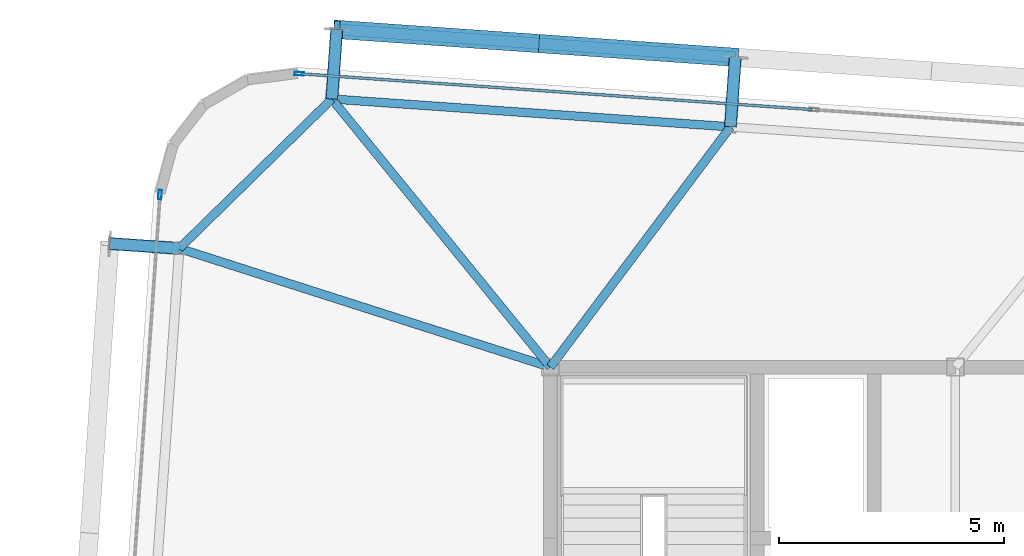
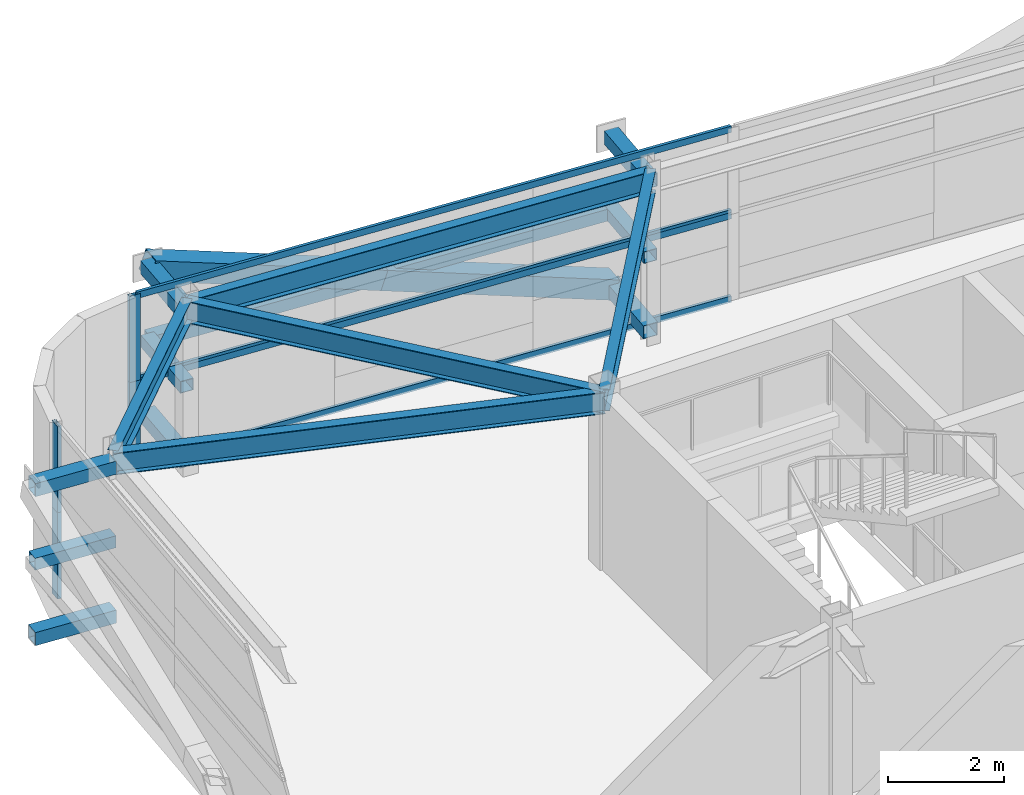
# One storey, part 19 of 36: 20 members, 5 beams, 4 elements without a shape of their own.
"""IFC4 building model written with IfcOpenShell, lengths in metres."""

from ifc_helpers import new_model, si_unit, direction, frame, origin, origin_2d, place, context, subcontext, project, spatial, hollow_rectangle, i_section, extrude, source, transform, mapped, material, layer, layer_set, material_profile, profile_set, type_object, element, aggregate, save


model = new_model("IFC4")

# Units and contexts
model_context = context("Model", 3, precision=1e-05, world=origin(), true_north=direction((0.0, 1.0)))
body_context = subcontext(model_context, "Body", "Model", "MODEL_VIEW")
ifc_project = project(units=[si_unit("LENGTHUNIT", "METRE"), si_unit("AREAUNIT", "SQUARE_METRE"), si_unit("VOLUMEUNIT", "CUBIC_METRE"), si_unit("PLANEANGLEUNIT", "RADIAN"), si_unit("MASSUNIT", "GRAM", prefix="KILO")], contexts=[model_context])

# Site, building, storey
site_placement = place(None, origin())
site = spatial("IfcSite", under=ifc_project, at=site_placement, CompositionType="ELEMENT")
building_placement = place(site_placement, origin())
building = spatial("IfcBuilding", under=site, at=building_placement, Name="Taldren Reach Tower", CompositionType="ELEMENT")
storey_placement = place(building_placement, frame((0.0, 0.0, 116.550048828125)))
storey = spatial("IfcBuildingStorey", under=building, at=storey_placement, Name="L35", CompositionType="ELEMENT", Elevation=116.550048828125)

# Members
ifc_material_1 = material(Name="Steel Gr 450 (C450L0)", Category="steel")
ifc_material_profile_1 = material_profile(ifc_material_1, hollow_rectangle(XDim=0.27490234375, YDim=0.27490234375, WallThickness=0.00927734375, at=origin_2d()), Name="275x275x9.3SHS")
ifc_profile_set_1 = profile_set([ifc_material_profile_1], Name="Steel Gr 450 (C450L0)")
member_type_1 = type_object("IfcMemberType", Name="MB-TIE273", PredefinedType="STRUT", material=ifc_profile_set_1)
shared_shape_1 = source(origin(), body_context, "Body", "SweptSolid", [
    extrude(hollow_rectangle(XDim=0.27490234375, YDim=0.27490234375, WallThickness=0.00927734375, at=origin_2d()), origin(), (0.0, 0.0, 1.0), 1.5498046875),
])
for number, where, z_axis, x_axis, name in (
    (1, (14.14453125, 37.958740234375, 3.349853515625), (0.069780535098, 0.997562367434, 0.0), (-0.997562367434, 0.069780535098, 0.0), "Exoskeleton diaphragm tie strut B3-N1 L35"),
    (2, (14.14453125, 37.958740234375, 0.219970703125), (0.069780535098, 0.997562367434, 0.0), (-0.997562367434, 0.069780535098, 0.0), "Exoskeleton base diaphragm tie strut B3-N1 L35"),
    (3, (23.0029296875, 37.33935546875, 3.349853515625), (0.069780535098, 0.997562367434, 0.0), (-0.997562367434, 0.069780535098, 0.0), "Exoskeleton diaphragm tie strut B3-N2 L35"),
    (4, (23.0029296875, 37.33935546875, 0.219970703125), (0.069780535098, 0.997562367434, 0.0), (-0.997562367434, 0.069780535098, 0.0), "Exoskeleton base diaphragm tie strut B3-N2 L35"),
    (5, (10.754638671875, 34.63720703125, 3.349853515625), (-0.997562367434, 0.069780535098, 0.0), (-0.069780535098, -0.997562367434, 0.0), "Exoskeleton diaphragm tie strut B3-W3 L35"),
    (6, (10.754638671875, 34.63720703125, 0.219970703125), (-0.997562367434, 0.069780535098, 0.0), (-0.069780535098, -0.997562367434, 0.0), "Exoskeleton base diaphragm tie strut B3-W3 L35"),
):
    element("IfcMember", number, at=place(storey_placement, frame(where, z_axis=z_axis, x_axis=x_axis)), inside=storey, type_object=member_type_1, Name=name, PredefinedType="STRUT", context=body_context, shape_type="MappedRepresentation", body=[
        mapped(shared_shape_1, transform((0.0, 0.0, 0.0), scale=1.0)),
    ])
ifc_material_2 = material(Name="Steel Gr 350 (C350L0)", Category="steel")
ifc_material_profile_2 = material_profile(ifc_material_2, hollow_rectangle(XDim=0.25, YDim=0.25, WallThickness=0.010009765625, at=origin_2d()), Name="250x250x10.0SHS")
ifc_profile_set_2 = profile_set([ifc_material_profile_2], Name="Steel Gr 350 (C350L0)")
member_type_2 = type_object("IfcMemberType", Name="MB-POST250", PredefinedType="POST", material=ifc_profile_set_2)
shared_shape_2 = source(origin(), body_context, "Body", "SweptSolid", [
    extrude(hollow_rectangle(XDim=0.25, YDim=0.25, WallThickness=0.010009765625, at=origin_2d()), origin(), (0.0, 0.0, 1.0), 1.5498046875),
])
for number, where, z_axis, x_axis, name in (
    (7, (14.14453125, 37.958740234375, 1.784912109375), (0.069780535098, 0.997562367434, 0.0), (-0.997562367434, 0.069780535098, 0.0), "Exoskeleton mid-tier diaphragm tie B3-N1 L35"),
    (8, (23.0029296875, 37.33935546875, 1.784912109375), (0.069780535098, 0.997562367434, 0.0), (-0.997562367434, 0.069780535098, 0.0), "Exoskeleton mid-tier diaphragm tie B3-N2 L35"),
    (9, (10.754638671875, 34.63720703125, 1.784912109375), (-0.997562367434, 0.069780535098, 0.0), (-0.069780535098, -0.997562367434, 0.0), "Exoskeleton mid-tier diaphragm tie B3-W3 L35"),
):
    element("IfcMember", number, at=place(storey_placement, frame(where, z_axis=z_axis, x_axis=x_axis)), inside=storey, type_object=member_type_2, Name=name, PredefinedType="POST", context=body_context, shape_type="MappedRepresentation", body=[
        mapped(shared_shape_2, transform((0.0, 0.0, 0.0), scale=1.0)),
    ])

# Beams
ifc_material_3 = material(Name="Steel Gr 350 (350PLUS)", Category="steel")
ifc_material_profile_3 = material_profile(ifc_material_3, i_section(OverallWidth=0.18994140625, OverallDepth=0.4541015625, WebThickness=0.008544921875, FlangeThickness=0.0126953125, at=origin_2d()), Name="460UB67.1")
ifc_profile_set_3 = profile_set([ifc_material_profile_3], Name="Steel Gr 350 (350PLUS)")
beam_type_1 = type_object("IfcBeamType", Name="SP-UB460B", PredefinedType="SPANDREL", material=ifc_profile_set_3)
shared_shape_3 = source(origin(), body_context, "Body", "SweptSolid", [
    extrude(i_section(OverallWidth=0.18994140625, OverallDepth=0.4541015625, WebThickness=0.008544921875, FlangeThickness=0.0126953125, at=origin_2d()), origin(), (0.0, 0.0, 1.0), 8.880126953125),
])
beam_1_placement = place(storey_placement, frame((23.0029296875, 37.33935546875, 3.40283203125), z_axis=(-0.997564479639, 0.069750333063, 0.0), x_axis=(-0.069750333063, -0.997564479639, 0.0)))
element("IfcBeam", 10, at=beam_1_placement, inside=storey, type_object=beam_type_1, Name="Perimeter spandrel B3 N2-N1 L35", PredefinedType="SPANDREL", context=body_context, shape_type="MappedRepresentation", body=[
    mapped(shared_shape_3, transform((0.0, 0.0, 0.0), scale=1.0)),
])
shared_shape_4 = source(origin(), body_context, "Body", "SweptSolid", [
    extrude(i_section(OverallWidth=0.18994140625, OverallDepth=0.4541015625, WebThickness=0.008544921875, FlangeThickness=0.0126953125, at=origin_2d()), origin(), (0.0, 0.0, 1.0), 4.745849609375),
])
beam_2_placement = place(storey_placement, frame((14.14453125, 37.958740234375, 3.40283203125), z_axis=(-0.714271982806, -0.699868226581, 0.0), x_axis=(0.699868226581, -0.714271982806, 0.0)))
element("IfcBeam", 11, at=beam_2_placement, inside=storey, type_object=beam_type_1, Name="Perimeter spandrel B3 N1-W3 L35", PredefinedType="SPANDREL", context=body_context, shape_type="MappedRepresentation", body=[
    mapped(shared_shape_4, transform((0.0, 0.0, 0.0), scale=1.0)),
])
ifc_material_profile_4 = material_profile(ifc_material_3, i_section(OverallWidth=0.19091796875, OverallDepth=0.4599609375, WebThickness=0.010009765625, FlangeThickness=0.01611328125, at=origin_2d()), Name="460UB82.1")
ifc_profile_set_4 = profile_set([ifc_material_profile_4], Name="Steel Gr 350 (350PLUS)")
beam_type_2 = type_object("IfcBeamType", Name="BM-UB460A", PredefinedType="BEAM", material=ifc_profile_set_4)
shared_shape_5 = source(origin(), body_context, "Body", "SweptSolid", [
    extrude(i_section(OverallWidth=0.19091796875, OverallDepth=0.4599609375, WebThickness=0.010009765625, FlangeThickness=0.01611328125, at=origin_2d()), origin(), (0.0, 0.0, 1.0), 6.67333984375),
])
beam_3_placement = place(storey_placement, frame((19.0, 32.0, 3.39990234375), z_axis=(0.599847795508, 0.800114130749, 0.0), x_axis=(-0.800114130749, 0.599847795508, 0.0)))
element("IfcBeam", 12, at=beam_3_placement, inside=storey, type_object=beam_type_2, Name="Primary floor girder B3-N2 L35", PredefinedType="BEAM", context=body_context, shape_type="MappedRepresentation", body=[
    mapped(shared_shape_5, transform((0.0, 0.0, 0.0), scale=1.0)),
])
shared_shape_6 = source(origin(), body_context, "Body", "SweptSolid", [
    extrude(i_section(OverallWidth=0.19091796875, OverallDepth=0.4599609375, WebThickness=0.010009765625, FlangeThickness=0.01611328125, at=origin_2d()), origin(), (0.0, 0.0, 1.0), 7.6865234375),
])
beam_4_placement = place(storey_placement, frame((19.0, 32.0, 3.39990234375), z_axis=(-0.631688504871, 0.775222311866, 0.0), x_axis=(-0.775222311866, -0.631688504871, 0.0)))
element("IfcBeam", 13, at=beam_4_placement, inside=storey, type_object=beam_type_2, Name="Primary floor girder B3-N1 L35", PredefinedType="BEAM", context=body_context, shape_type="MappedRepresentation", body=[
    mapped(shared_shape_6, transform((0.0, 0.0, 0.0), scale=1.0)),
])
shared_shape_7 = source(origin(), body_context, "Body", "SweptSolid", [
    extrude(i_section(OverallWidth=0.19091796875, OverallDepth=0.4599609375, WebThickness=0.010009765625, FlangeThickness=0.01611328125, at=origin_2d()), origin(), (0.0, 0.0, 1.0), 8.65673828125),
])
beam_5_placement = place(storey_placement, frame((19.0, 32.0, 3.39990234375), z_axis=(-0.952468016288, 0.304638602195, 0.0), x_axis=(-0.304638602195, -0.952468016288, 0.0)))
element("IfcBeam", 14, at=beam_5_placement, inside=storey, type_object=beam_type_2, Name="Primary floor girder B3-W3 L35", PredefinedType="BEAM", context=body_context, shape_type="MappedRepresentation", body=[
    mapped(shared_shape_7, transform((0.0, 0.0, 0.0), scale=1.0)),
])

# Members
ifc_material_profile_5 = material_profile(ifc_material_1, hollow_rectangle(XDim=0.409912109375, YDim=0.409912109375, WallThickness=0.01611328125, at=origin_2d()), Name="410x410x16.0SHS")
ifc_profile_set_5 = profile_set([ifc_material_profile_5], Name="Steel Gr 450 (C450L0)")
member_type_3 = type_object("IfcMemberType", Name="MB-EXO406", PredefinedType="BRACE", material=ifc_profile_set_5)
shared_shape_8 = source(origin(), body_context, "Body", "SweptSolid", [
    extrude(hollow_rectangle(XDim=0.409912109375, YDim=0.409912109375, WallThickness=0.01611328125, at=origin_2d()), origin(), (0.0, 0.0, 1.0), 4.707763671875),
])
for number, where, z_axis, x_axis, name in (
    (15, (23.111083984375, 38.885498046875, 0.219970703125), (-0.940833091628, 0.065809568585, 0.332418703414), (-0.06977769246, -0.997562566276, 0.0), "Exoskeleton Diagrid Brace B3-N1 L35"),
    (16, (18.681884765625, 39.1953125, 1.784912109375), (-0.940836301296, 0.065757933527, 0.332419837466), (-0.069722973508, -0.997566392259, 0.0), "Exoskeleton Diagrid Brace B3-N1 L35"),
):
    element("IfcMember", number, at=place(storey_placement, frame(where, z_axis=z_axis, x_axis=x_axis)), inside=storey, type_object=member_type_3, Name=name, PredefinedType="BRACE", context=body_context, shape_type="MappedRepresentation", body=[
        mapped(shared_shape_8, transform((0.0, 0.0, 0.0), scale=1.0)),
    ])
shared_shape_9 = source(origin(), body_context, "Body", "SweptSolid", [
    extrude(hollow_rectangle(XDim=0.25, YDim=0.25, WallThickness=0.010009765625, at=origin_2d()), origin(), (0.0, 0.0, 1.0), 8.880126953125),
])
member_1_placement = place(storey_placement, frame((14.252685546875, 39.5048828125, 1.784912109375), z_axis=(0.997564479639, -0.069750333063, 0.0), x_axis=(0.069750333063, 0.997564479639, 0.0)))
element("IfcMember", 17, at=member_1_placement, inside=storey, type_object=member_type_2, Name="Exoskeleton mid-height ring chord B3-N1 L35", PredefinedType="POST", context=body_context, shape_type="MappedRepresentation", body=[
    mapped(shared_shape_9, transform((0.0, 0.0, 0.0), scale=1.0)),
])

# Curtain wall, member
ifc_material_4 = material(Name="Aluminium and Low-E Glass Unitised System", Category="aluminium")
ifc_layer = layer(ifc_material_4, 0.159912109375)
ifc_layer_set = layer_set([ifc_layer], Name="Aluminium and Low-E Glass Unitised System")
curtain_wall_type = type_object("IfcCurtainWallType", Name="CW-SYS-7", PredefinedType="NOTDEFINED", material=ifc_layer_set)
curtain_wall_1_placement = place(storey_placement, origin())
curtain_wall_1 = element("IfcCurtainWall", 18, at=curtain_wall_1_placement, inside=storey, type_object=curtain_wall_type, Name="Unitised curtain wall CW-L35-N", PredefinedType="NOTDEFINED")
ifc_material_5 = material(Name="Anodised Aluminium 6063-T6", Category="aluminium")
ifc_material_profile_6 = material_profile(ifc_material_5, hollow_rectangle(XDim=0.074951171875, YDim=0.2099609375, WallThickness=0.00439453125, at=origin_2d()), Name="ALU-210x75x4.5RHS")
ifc_profile_set_6 = profile_set([ifc_material_profile_6], Name="Anodised Aluminium 6063-T6")
member_type_4 = type_object("IfcMemberType", Name="CW-MUL-200", PredefinedType="MULLION", material=ifc_profile_set_6)
shared_shape_10 = source(origin(), body_context, "Body", "SweptSolid", [
    extrude(hollow_rectangle(XDim=0.074951171875, YDim=0.2099609375, WallThickness=0.00439453125, at=origin_2d()), origin(), (0.0, 0.0, 1.0), 1.81494140625),
])
member_2_placement = place(storey_placement, frame((13.41943359375, 38.520751953125, 0.0), z_axis=(0.0, 0.0, 1.0), x_axis=(-0.06975651593, -0.99756404731, 0.0)))
member_2 = element("IfcMember", 19, at=member_2_placement, type_object=member_type_4, Name="CW-7 mullion 5", PredefinedType="MULLION", context=body_context, shape_type="MappedRepresentation", body=[
    mapped(shared_shape_10, transform((0.0, 0.0, 0.0), scale=1.0)),
])

curtain_wall_2_placement = place(storey_placement, origin())
curtain_wall_2 = element("IfcCurtainWall", 20, at=curtain_wall_2_placement, inside=storey, type_object=curtain_wall_type, Name="Unitised curtain wall CW-L35-N-T2", PredefinedType="NOTDEFINED")
member_3_placement = place(storey_placement, frame((13.41943359375, 38.520751953125, 1.81494140625), z_axis=(0.0, 0.0, 1.0), x_axis=(-0.06975651593, -0.99756404731, 0.0)))
member_3 = element("IfcMember", 21, at=member_3_placement, type_object=member_type_4, Name="CW-7 mullion 5", PredefinedType="MULLION", context=body_context, shape_type="MappedRepresentation", body=[
    mapped(shared_shape_10, transform((0.0, 0.0, 0.0), scale=1.0)),
])

curtain_wall_3_placement = place(storey_placement, origin())
curtain_wall_3 = element("IfcCurtainWall", 22, at=curtain_wall_3_placement, inside=storey, type_object=curtain_wall_type, Name="Unitised curtain wall CW-L35-W", PredefinedType="NOTDEFINED")
member_4_placement = place(storey_placement, frame((10.326904296875, 35.832275390625, 0.0), z_axis=(0.0, 0.0, 1.0), x_axis=(0.997564052812, -0.069756437251, 0.0)))
member_4 = element("IfcMember", 23, at=member_4_placement, type_object=member_type_4, Name="CW-7 mullion 1", PredefinedType="MULLION", context=body_context, shape_type="MappedRepresentation", body=[
    mapped(shared_shape_10, transform((0.0, 0.0, 0.0), scale=1.0)),
])
aggregate(curtain_wall_3, [member_4])

curtain_wall_4_placement = place(storey_placement, origin())
curtain_wall_4 = element("IfcCurtainWall", 24, at=curtain_wall_4_placement, inside=storey, type_object=curtain_wall_type, Name="Unitised curtain wall CW-L35-W-T2", PredefinedType="NOTDEFINED")
member_5_placement = place(storey_placement, frame((10.326904296875, 35.832275390625, 1.81494140625), z_axis=(0.0, 0.0, 1.0), x_axis=(0.997564052812, -0.069756437251, 0.0)))
member_5 = element("IfcMember", 25, at=member_5_placement, type_object=member_type_4, Name="CW-7 mullion 1", PredefinedType="MULLION", context=body_context, shape_type="MappedRepresentation", body=[
    mapped(shared_shape_10, transform((0.0, 0.0, 0.0), scale=1.0)),
])
aggregate(curtain_wall_4, [member_5])

# Member
ifc_material_profile_7 = material_profile(ifc_material_5, hollow_rectangle(XDim=0.06005859375, YDim=0.135009765625, WallThickness=0.00341796875, at=origin_2d()), Name="ALU-135x60x3.5RHS")
ifc_profile_set_7 = profile_set([ifc_material_profile_7], Name="Anodised Aluminium 6063-T6")
member_type_5 = type_object("IfcMemberType", Name="CW-TRN-150", PredefinedType="USERDEFINED", material=ifc_profile_set_7)
shared_shape_11 = source(origin(), body_context, "Body", "SweptSolid", [
    extrude(hollow_rectangle(XDim=0.06005859375, YDim=0.135009765625, WallThickness=0.00341796875, at=origin_2d()), origin(), (0.0, 0.0, 1.0), 11.387451171875),
])
member_6_placement = place(storey_placement, frame((24.816650390625, 37.7236328125, 0.030029296875), z_axis=(-0.997563490214, 0.069764482305, 0.0), x_axis=(-0.069764482305, -0.997563490214, 0.0)))
member_6 = element("IfcMember", 26, at=member_6_placement, type_object=member_type_5, Name="CW-7 transom 4.1", ObjectType="TRANSOM", PredefinedType="USERDEFINED", context=body_context, shape_type="MappedRepresentation", body=[
    mapped(shared_shape_11, transform((0.0, 0.0, 0.0), scale=1.0)),
])

member_7_placement = place(storey_placement, frame((24.816650390625, 37.7236328125, 1.784912109375), z_axis=(-0.997563490214, 0.069764482305, 0.0), x_axis=(-0.069764482305, -0.997563490214, 0.0)))
member_7 = element("IfcMember", 27, at=member_7_placement, type_object=member_type_5, Name="CW-7 transom 4.2", ObjectType="TRANSOM", PredefinedType="USERDEFINED", context=body_context, shape_type="MappedRepresentation", body=[
    mapped(shared_shape_11, transform((0.0, 0.0, 0.0), scale=1.0)),
])

aggregate(curtain_wall_1, [member_2, member_6, member_7])

member_8_placement = place(storey_placement, frame((24.816650390625, 37.7236328125, 1.844970703125), z_axis=(-0.997563490214, 0.069764482305, 0.0), x_axis=(-0.069764482305, -0.997563490214, 0.0)))
member_8 = element("IfcMember", 28, at=member_8_placement, type_object=member_type_5, Name="CW-7 transom 4.1", ObjectType="TRANSOM", PredefinedType="USERDEFINED", context=body_context, shape_type="MappedRepresentation", body=[
    mapped(shared_shape_11, transform((0.0, 0.0, 0.0), scale=1.0)),
])

member_9_placement = place(storey_placement, frame((24.816650390625, 37.7236328125, 3.599853515625), z_axis=(-0.997563490214, 0.069764482305, 0.0), x_axis=(-0.069764482305, -0.997563490214, 0.0)))
member_9 = element("IfcMember", 29, at=member_9_placement, type_object=member_type_5, Name="CW-7 transom 4.2", ObjectType="TRANSOM", PredefinedType="USERDEFINED", context=body_context, shape_type="MappedRepresentation", body=[
    mapped(shared_shape_11, transform((0.0, 0.0, 0.0), scale=1.0)),
])

aggregate(curtain_wall_2, [member_3, member_8, member_9])

save(model, "model.ifc")
